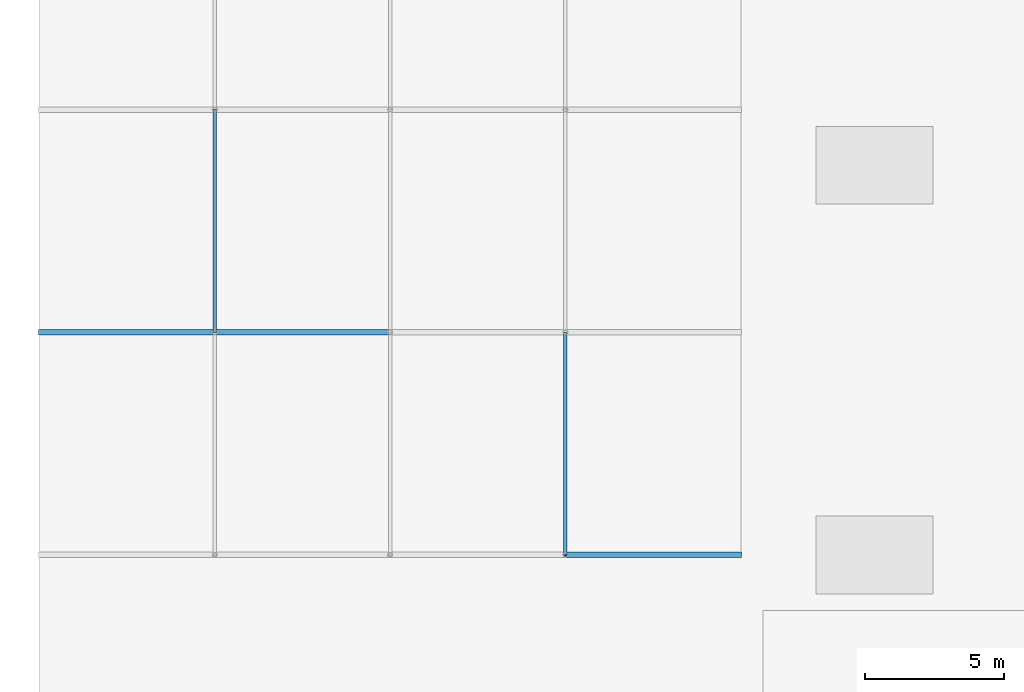
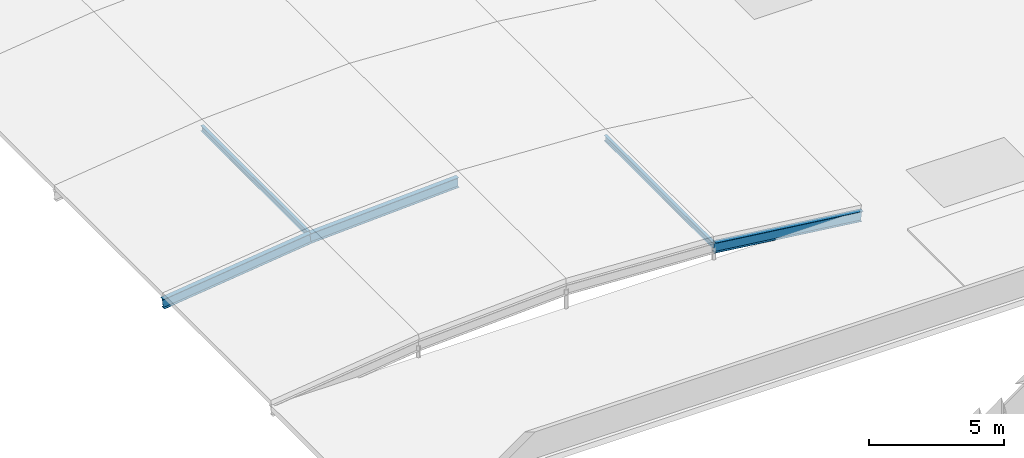
# One storey, part 25 of 76: 5 members.
"""IFC4 building model written with IfcOpenShell, lengths in metres."""

from ifc_helpers import new_model, si_unit, direction, frame, origin, origin_2d, place, context, subcontext, project, spatial, i_section, extrude, material, material_profile, profile_set, type_object, element, save


model = new_model("IFC4")

# Units and contexts
model_context = context("Model", 3, precision=1e-05, world=origin(), true_north=direction((0.0, 1.0)))
body_context = subcontext(model_context, "Body", "Model", "MODEL_VIEW")
ifc_project = project(units=[si_unit("LENGTHUNIT", "METRE"), si_unit("AREAUNIT", "SQUARE_METRE"), si_unit("VOLUMEUNIT", "CUBIC_METRE"), si_unit("PLANEANGLEUNIT", "RADIAN"), si_unit("MASSUNIT", "GRAM", prefix="KILO")], contexts=[model_context])

# Site, building, storey
site_placement = place(None, origin())
site = spatial("IfcSite", under=ifc_project, at=site_placement, CompositionType="ELEMENT")
building_placement = place(site_placement, origin())
building = spatial("IfcBuilding", under=site, at=building_placement, Name="Naruveol Harbour Congress Hotel", CompositionType="ELEMENT")
storey_placement = place(building_placement, frame((0.0, 0.0, 11.39990234375)))
storey = spatial("IfcBuildingStorey", under=building, at=storey_placement, Name="L02", CompositionType="ELEMENT", Elevation=11.39990234375)

# Members
ifc_material_1 = material(Name="Steel SN490", Category="steel")
ifc_material_profile_1 = material_profile(ifc_material_1, i_section(OverallWidth=0.199951171875, OverallDepth=0.449951171875, WebThickness=0.009033203125, FlangeThickness=0.013916015625, at=origin_2d()), Name="H-450x200x9x14")
ifc_profile_set_1 = profile_set([ifc_material_profile_1], Name="Steel SN490")
member_type_1 = type_object("IfcMemberType", Name="STEEL BUTTERFLY CROWN RAFTER H450", PredefinedType="RAFTER", material=ifc_profile_set_1)
for number, where, z_axis, x_axis, name in (
    (1, (18.89990234375, 72.0, 0.530029296875), (0.992613260551, 0.0, -0.121321535508), (0.0, 1.0, 0.0), "Spa vault arch rib #1.4"),
    (2, (0.0, 80.0, -0.239990234375), (0.992613260551, 0.0, 0.121321535508), (0.0, 1.0, 0.0), "Spa vault arch rib #2.1"),
):
    element("IfcMember", number, at=place(storey_placement, frame(where, z_axis=z_axis, x_axis=x_axis)), inside=storey, type_object=member_type_1, Name=name, PredefinedType="RAFTER", context=body_context, shape_type="SweptSolid", body=[
        extrude(i_section(OverallWidth=0.199951171875, OverallDepth=0.449951171875, WebThickness=0.009033203125, FlangeThickness=0.013916015625, at=origin_2d()), origin(), (0.0, 0.0, 1.0), 6.346923828125),
    ])
member_placement = place(storey_placement, frame((6.300048828125, 80.0, 0.530029296875), z_axis=(0.998711964154, 0.0, 0.050738670219), x_axis=(0.0, 1.0, 0.0)))
element("IfcMember", 3, at=member_placement, inside=storey, type_object=member_type_1, Name="Spa vault arch rib #2.2", PredefinedType="RAFTER", context=body_context, shape_type="SweptSolid", body=[
    extrude(i_section(OverallWidth=0.199951171875, OverallDepth=0.449951171875, WebThickness=0.009033203125, FlangeThickness=0.013916015625, at=origin_2d()), origin(), (0.0, 0.0, 1.0), 6.30810546875),
])
ifc_material_2 = material(Name="Steel SN490", Category="steel")
ifc_material_profile_2 = material_profile(ifc_material_2, i_section(OverallWidth=0.125, OverallDepth=0.25, WebThickness=0.006103515625, FlangeThickness=0.009033203125, at=origin_2d()), Name="H-250x125x6x9")
ifc_profile_set_2 = profile_set([ifc_material_profile_2], Name="Steel SN490")
member_type_2 = type_object("IfcMemberType", Name="STEEL ROOF PURLIN MEMBER H250", PredefinedType="PURLIN", material=ifc_profile_set_2)
for number, where, z_axis, x_axis, name in (
    (4, (6.300048828125, 80.0, 0.6201171875), (0.0, 1.0, 0.0), (-1.0, 0.0, 0.0), "Spa barrel vault purlin X=6.3"),
    (5, (18.89990234375, 72.0, 0.6201171875), (0.0, 1.0, 0.0), (-1.0, 0.0, 0.0), "Spa barrel vault purlin X=18.9"),
):
    element("IfcMember", number, at=place(storey_placement, frame(where, z_axis=z_axis, x_axis=x_axis)), inside=storey, type_object=member_type_2, Name=name, PredefinedType="PURLIN", context=body_context, shape_type="SweptSolid", body=[
        extrude(i_section(OverallWidth=0.125, OverallDepth=0.25, WebThickness=0.006103515625, FlangeThickness=0.009033203125, at=origin_2d()), origin(), (0.0, 0.0, 1.0), 8.0),
    ])

save(model, "model.ifc")
